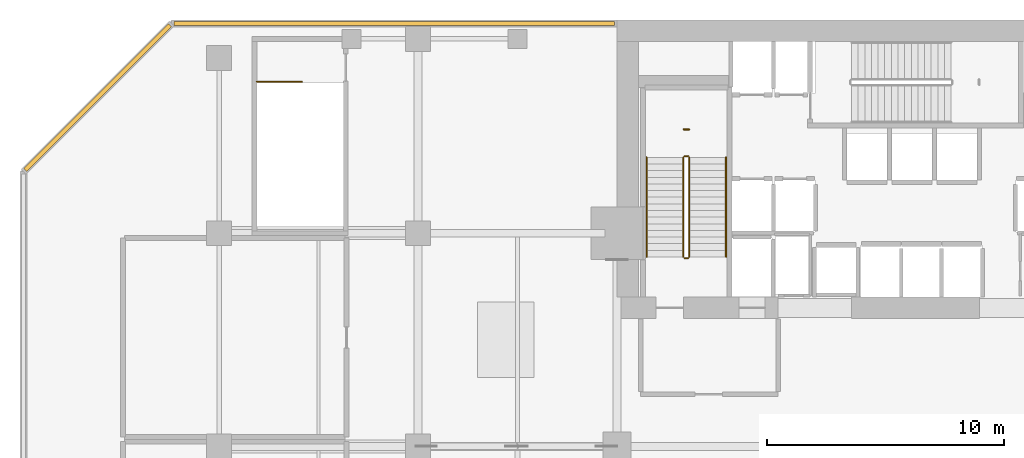
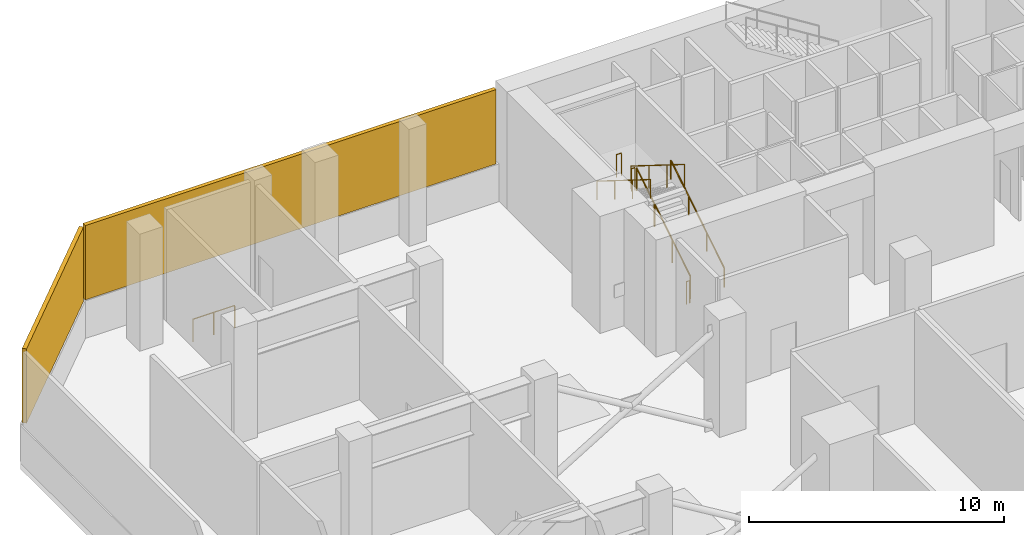
# One storey, part 13 of 15: 8 railings, 2 shading devices.
"""IFC4 building model written with IfcOpenShell, lengths in metres."""

from ifc_helpers import new_model, si_unit, direction, frame, origin, origin_2d, place, context, subcontext, project, spatial, rectangle, circle, extrude, material, layer, layer_set, type_object, element, save


model = new_model("IFC4")

# Units and contexts
model_context = context("Model", 3, precision=1e-05, world=origin(), true_north=direction((0.0, 1.0)))
body_context = subcontext(model_context, "Body", "Model", "MODEL_VIEW")
ifc_project = project(units=[si_unit("LENGTHUNIT", "METRE"), si_unit("AREAUNIT", "SQUARE_METRE"), si_unit("VOLUMEUNIT", "CUBIC_METRE"), si_unit("PLANEANGLEUNIT", "RADIAN"), si_unit("MASSUNIT", "GRAM", prefix="KILO")], contexts=[model_context])

# Site, building, storey
site_placement = place(None, origin())
site = spatial("IfcSite", under=ifc_project, at=site_placement, CompositionType="ELEMENT")
building_placement = place(site_placement, origin())
building = spatial("IfcBuilding", under=site, at=building_placement, Name="Maruvema Waterfront Hotel and Observation Tower", CompositionType="ELEMENT")
storey_placement = place(building_placement, frame((0.0, 0.0, 21.35009765625)))
storey = spatial("IfcBuildingStorey", under=building, at=storey_placement, Name="L04", CompositionType="ELEMENT", Elevation=21.35009765625)

# Shading devices
ifc_material_1 = material(Name="Anodised architectural bronze aluminium", Category="aluminium")
ifc_layer = layer(ifc_material_1, 0.14990234375, Name="Acoustic Weatherproof Plant Louvre Panel 150 mm")
ifc_layer_set = layer_set([ifc_layer], Name="Anodised architectural bronze aluminium")
shading_device_type = type_object("IfcShadingDeviceType", Name="Acoustic Weatherproof Plant Louvre Panel 150 mm", PredefinedType="JALOUSIE", material=ifc_layer_set)
shading_device_1_placement = place(storey_placement, frame((15.800048828125, 53.85009765625, 1.7998046875), z_axis=(0.0, 0.0, 1.0), x_axis=(-1.0, 0.0, 0.0)))
element("IfcShadingDevice", 1, at=shading_device_1_placement, inside=storey, type_object=shading_device_type, Name="L04 Plant Acoustic Weather Louvre NW1", PredefinedType="JALOUSIE", context=body_context, shape_type="SweptSolid", body=[
    extrude(rectangle(XDim=18.60009765625, YDim=0.179931640625, at=origin_2d()), origin(), (0.0, 0.0, 1.0), 3.56005859375),
])
shading_device_2_placement = place(storey_placement, frame((3.27490234375, 50.72509765625, 1.7998046875), z_axis=(0.0, 0.0, 1.0), x_axis=(-0.707106781187, -0.707106781187, 0.0)))
element("IfcShadingDevice", 2, at=shading_device_2_placement, inside=storey, type_object=shading_device_type, Name="L04 Plant Acoustic Weather Louvre NWc", PredefinedType="JALOUSIE", context=body_context, shape_type="SweptSolid", body=[
    extrude(rectangle(XDim=8.638916015625, YDim=0.179931640625, at=origin_2d()), origin(), (0.0, 0.0, 1.0), 3.56005859375),
])

# Railings
ifc_material_2 = material(Name="Brushed stainless steel Grade 316", Category="steel")
railing_type_1 = type_object("IfcRailingType", Name="Ramp Continuous Wall Handrail 920 mm", PredefinedType="HANDRAIL", material=ifc_material_2)
railing_1_placement = place(storey_placement, frame((29.800048828125, 44.0, 0.1748046875)))
element("IfcRailing", 3, at=railing_1_placement, inside=storey, type_object=railing_type_1, Name="L04 ST-01 stair handrail 1", PredefinedType="HANDRAIL", context=body_context, shape_type="SweptSolid", body=[
    extrude(circle(Radius=0.02392578125, at=origin_2d()), frame((0.0, 0.0, 0.89599609375), z_axis=(0.0, 0.847995534698, 0.530003370869), x_axis=(-1.0, 0.0, 0.0)), (0.0, 0.0, 1.0), 4.952880859375),
    extrude(circle(Radius=0.02099609375, at=origin_2d()), origin(), (0.0, 0.0, 1.0), 0.871826171875),
    extrude(circle(Radius=0.02099609375, at=origin_2d()), frame((0.0, 1.39990234375, 0.875)), (0.0, 0.0, 1.0), 0.871826171875),
    extrude(circle(Radius=0.02099609375, at=origin_2d()), frame((0.0, 2.800048828125, 1.75)), (0.0, 0.0, 1.0), 0.871826171875),
    extrude(circle(Radius=0.02099609375, at=origin_2d()), frame((0.0, 4.199951171875, 2.625)), (0.0, 0.0, 1.0), 0.871826171875),
])
railing_2_placement = place(storey_placement, frame((26.449951171875, 48.199951171875, 2.974853515625)))
element("IfcRailing", 4, at=railing_2_placement, inside=storey, type_object=railing_type_1, Name="L04 ST-01 stair handrail 2", PredefinedType="HANDRAIL", context=body_context, shape_type="SweptSolid", body=[
    extrude(circle(Radius=0.02392578125, at=origin_2d()), frame((0.0, 0.0, 0.89599609375), z_axis=(0.0, -0.847995534698, 0.530003370869), x_axis=(1.0, 0.0, 0.0)), (0.0, 0.0, 1.0), 4.952880859375),
    extrude(circle(Radius=0.02099609375, at=origin_2d()), origin(), (0.0, 0.0, 1.0), 0.871826171875),
    extrude(circle(Radius=0.02099609375, at=origin_2d()), frame((0.0, -1.39990234375, 0.875)), (0.0, 0.0, 1.0), 0.871826171875),
    extrude(circle(Radius=0.02099609375, at=origin_2d()), frame((0.0, -2.800048828125, 1.75)), (0.0, 0.0, 1.0), 0.871826171875),
    extrude(circle(Radius=0.02099609375, at=origin_2d()), frame((0.0, -4.199951171875, 2.625)), (0.0, 0.0, 1.0), 0.871826171875),
])
ifc_material_3 = material(Name="Brushed stainless steel Grade 316", Category="steel")
railing_type_2 = type_object("IfcRailingType", Name="Ramp and Terrace Guard Balustrade 1100 mm", PredefinedType="BALUSTRADE", material=ifc_material_3)
railing_3_placement = place(storey_placement, frame((28.25, 44.0, 0.1748046875)))
element("IfcRailing", 5, at=railing_3_placement, inside=storey, type_object=railing_type_2, Name="L04 ST-01 stair guard 1", PredefinedType="BALUSTRADE", context=body_context, shape_type="SweptSolid", body=[
    extrude(circle(Radius=0.02392578125, at=origin_2d()), frame((0.0, 0.0, 1.076171875), z_axis=(0.0, 0.847995534698, 0.530003370869), x_axis=(-1.0, 0.0, 0.0)), (0.0, 0.0, 1.0), 4.952880859375),
    extrude(circle(Radius=0.02099609375, at=origin_2d()), origin(), (0.0, 0.0, 1.0), 1.052001953125),
    extrude(circle(Radius=0.02099609375, at=origin_2d()), frame((0.0, 1.39990234375, 0.875)), (0.0, 0.0, 1.0), 1.052001953125),
    extrude(circle(Radius=0.02099609375, at=origin_2d()), frame((0.0, 2.800048828125, 1.75)), (0.0, 0.0, 1.0), 1.052001953125),
    extrude(circle(Radius=0.02099609375, at=origin_2d()), frame((0.0, 4.199951171875, 2.625)), (0.0, 0.0, 1.0), 1.052001953125),
])
railing_4_placement = place(storey_placement, frame((28.199951171875, 48.25, 2.7998046875)))
element("IfcRailing", 6, at=railing_4_placement, inside=storey, type_object=railing_type_2, Name="L04 ST-01 stair guard 2", PredefinedType="BALUSTRADE", context=body_context, shape_type="SweptSolid", body=[
    extrude(circle(Radius=0.02392578125, at=origin_2d()), frame((0.0, 0.0, 1.076171875), z_axis=(-1.0, 0.0, 0.0), x_axis=(0.0, -1.0, 0.0)), (0.0, 0.0, 1.0), 0.14990234375),
    extrude(circle(Radius=0.02099609375, at=origin_2d()), origin(), (0.0, 0.0, 1.0), 1.052001953125),
    extrude(circle(Radius=0.02099609375, at=origin_2d()), frame((-0.14990234375, 0.0, 0.0)), (0.0, 0.0, 1.0), 1.052001953125),
])
railing_5_placement = place(storey_placement, frame((28.0, 48.199951171875, 2.974853515625)))
element("IfcRailing", 7, at=railing_5_placement, inside=storey, type_object=railing_type_2, Name="L04 ST-01 stair guard 3", PredefinedType="BALUSTRADE", context=body_context, shape_type="SweptSolid", body=[
    extrude(circle(Radius=0.02392578125, at=origin_2d()), frame((0.0, 0.0, 1.076171875), z_axis=(0.0, -0.847995534698, 0.530003370869), x_axis=(1.0, 0.0, 0.0)), (0.0, 0.0, 1.0), 4.952880859375),
    extrude(circle(Radius=0.02099609375, at=origin_2d()), origin(), (0.0, 0.0, 1.0), 1.052001953125),
    extrude(circle(Radius=0.02099609375, at=origin_2d()), frame((0.0, -1.39990234375, 0.875)), (0.0, 0.0, 1.0), 1.052001953125),
    extrude(circle(Radius=0.02099609375, at=origin_2d()), frame((0.0, -2.800048828125, 1.75)), (0.0, 0.0, 1.0), 1.052001953125),
    extrude(circle(Radius=0.02099609375, at=origin_2d()), frame((0.0, -4.199951171875, 2.625)), (0.0, 0.0, 1.0), 1.052001953125),
])
railing_6_placement = place(storey_placement, frame((28.199951171875, 43.949951171875, 0.0)))
element("IfcRailing", 8, at=railing_6_placement, inside=storey, type_object=railing_type_2, Name="L04 ST-01 stair guard 4", PredefinedType="BALUSTRADE", context=body_context, shape_type="SweptSolid", body=[
    extrude(circle(Radius=0.02392578125, at=origin_2d()), frame((0.0, 0.0, 1.076171875), z_axis=(-1.0, 0.0, 0.0), x_axis=(0.0, -1.0, 0.0)), (0.0, 0.0, 1.0), 0.14990234375),
    extrude(circle(Radius=0.02099609375, at=origin_2d()), origin(), (0.0, 0.0, 1.0), 1.052001953125),
    extrude(circle(Radius=0.02099609375, at=origin_2d()), frame((-0.14990234375, 0.0, 0.0)), (0.0, 0.0, 1.0), 1.052001953125),
])
railing_7_placement = place(storey_placement, frame((28.239990234375, 49.3798828125, 2.7998046875)))
element("IfcRailing", 9, at=railing_7_placement, inside=storey, type_object=railing_type_2, Name="L04 ST-01 Half-Landing Slot Guard", PredefinedType="BALUSTRADE", context=body_context, shape_type="SweptSolid", body=[
    extrude(circle(Radius=0.02392578125, at=origin_2d()), frame((0.0, 0.0, 1.076171875), z_axis=(-1.0, 0.0, 0.0), x_axis=(0.0, -1.0, 0.0)), (0.0, 0.0, 1.0), 0.22998046875),
    extrude(circle(Radius=0.02099609375, at=origin_2d()), origin(), (0.0, 0.0, 1.0), 1.052001953125),
    extrude(circle(Radius=0.02099609375, at=origin_2d()), frame((-0.22998046875, 0.0, 0.0)), (0.0, 0.0, 1.0), 1.052001953125),
])
railing_8_placement = place(storey_placement, frame((10.0, 51.39990234375, 0.0)))
element("IfcRailing", 10, at=railing_8_placement, inside=storey, type_object=railing_type_2, Name="L04 ST-04 top well guard 1", PredefinedType="BALUSTRADE", context=body_context, shape_type="SweptSolid", body=[
    extrude(circle(Radius=0.02392578125, at=origin_2d()), frame((0.0, 0.0, 1.076171875), z_axis=(1.0, 0.0, 0.0), x_axis=(0.0, 1.0, 0.0)), (0.0, 0.0, 1.0), 1.89990234375),
    extrude(circle(Radius=0.02099609375, at=origin_2d()), origin(), (0.0, 0.0, 1.0), 1.052001953125),
    extrude(circle(Radius=0.02099609375, at=origin_2d()), frame((0.949951171875, 0.0, 0.0)), (0.0, 0.0, 1.0), 1.052001953125),
    extrude(circle(Radius=0.02099609375, at=origin_2d()), frame((1.89990234375, 0.0, 0.0)), (0.0, 0.0, 1.0), 1.052001953125),
])

save(model, "model.ifc")
